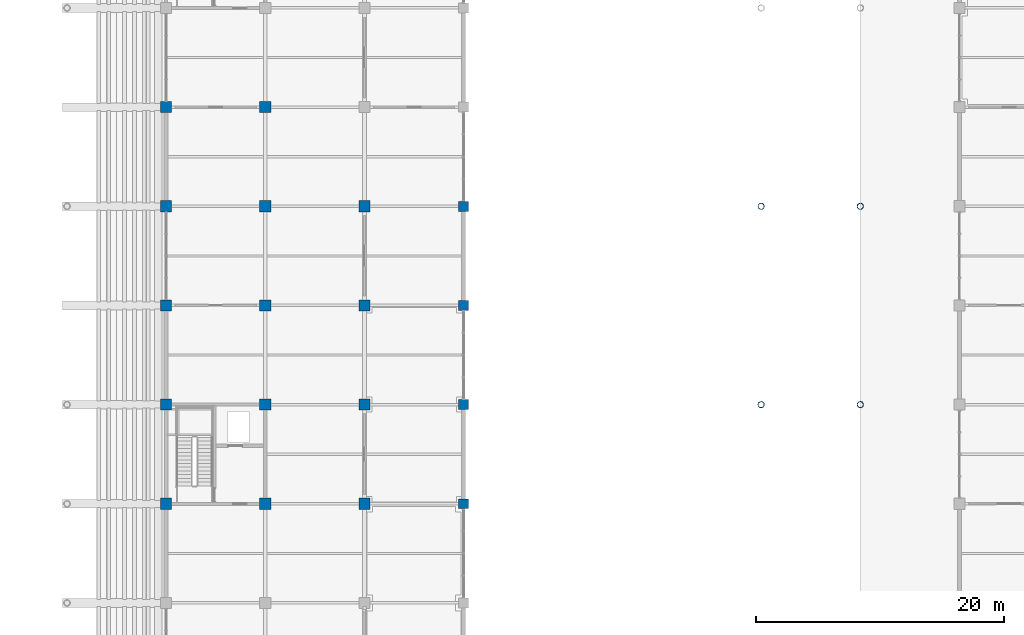
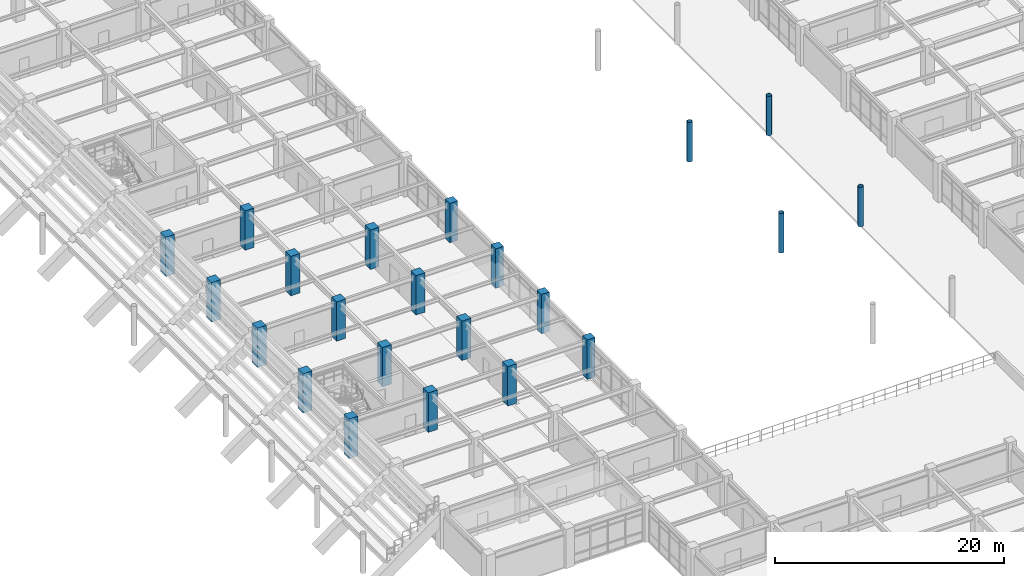
# One storey, part 9 of 118: 22 columns.
"""IFC4 building model written with IfcOpenShell, lengths in metres."""

from ifc_helpers import new_model, si_unit, direction, frame, origin, origin_2d, place, context, subcontext, project, spatial, rectangle, hollow_circle, extrude, material, material_profile, profile_set, type_object, element, save


model = new_model("IFC4")

# Units and contexts
model_context = context("Model", 3, precision=1e-05, world=origin(), true_north=direction((0.0, 1.0)))
body_context = subcontext(model_context, "Body", "Model", "MODEL_VIEW")
ifc_project = project(units=[si_unit("LENGTHUNIT", "METRE"), si_unit("AREAUNIT", "SQUARE_METRE"), si_unit("VOLUMEUNIT", "CUBIC_METRE"), si_unit("PLANEANGLEUNIT", "RADIAN"), si_unit("MASSUNIT", "GRAM", prefix="KILO")], contexts=[model_context])

# Site, building, storey
site_placement = place(None, origin())
site = spatial("IfcSite", under=ifc_project, at=site_placement, CompositionType="ELEMENT")
building_placement = place(site_placement, origin())
building = spatial("IfcBuilding", under=site, at=building_placement, Name="Haebicheon Civic Stadium", CompositionType="ELEMENT")
storey_placement = place(building_placement, frame((0.0, 0.0, 14.39990234375)))
storey = spatial("IfcBuildingStorey", under=building, at=storey_placement, Name="L04", CompositionType="ELEMENT", Elevation=14.39990234375)

# Columns
ifc_material_1 = material(Name="Concrete C40/50", Category="concrete")
ifc_material_profile_1 = material_profile(ifc_material_1, rectangle(XDim=0.800048828125, YDim=0.800048828125, at=origin_2d()), Name="RC-COL-800x800")
ifc_profile_set_1 = profile_set([ifc_material_profile_1], Name="Concrete C40/50")
column_type_1 = type_object("IfcColumnType", Name="COL-RC-800", PredefinedType="COLUMN", material=ifc_profile_set_1)
for number, where, z_axis, x_axis, name in (
    (1, (168.0, 64.0, 0.0), (0.0, 0.0, 1.0), (1.0, 0.0, 0.0), "L04 column 22/J"),
    (2, (168.0, 72.0, 0.0), (0.0, 0.0, 1.0), (1.0, 0.0, 0.0), "L04 column 22/K"),
    (3, (168.0, 80.0, 0.0), (0.0, 0.0, 1.0), (1.0, 0.0, 0.0), "L04 column 22/L"),
    (4, (168.0, 88.0, 0.0), (0.0, 0.0, 1.0), (1.0, 0.0, 0.0), "L04 column 22/M"),
):
    element("IfcColumn", number, at=place(storey_placement, frame(where, z_axis=z_axis, x_axis=x_axis)), inside=storey, type_object=column_type_1, material=ifc_profile_set_1, Name=name, PredefinedType="COLUMN", context=body_context, shape_type="SweptSolid", body=[
        extrude(rectangle(XDim=0.800048828125, YDim=0.800048828125, at=origin_2d()), origin(), (0.0, 0.0, 1.0), 4.2001953125),
    ])
ifc_material_2 = material(Name="Concrete C40/50", Category="concrete")
ifc_material_profile_2 = material_profile(ifc_material_2, rectangle(XDim=0.89990234375, YDim=0.89990234375, at=origin_2d()), Name="RC-COL-900x900")
ifc_profile_set_2 = profile_set([ifc_material_profile_2], Name="Concrete C40/50")
column_type_2 = type_object("IfcColumnType", Name="COL-RC-900", PredefinedType="COLUMN", material=ifc_profile_set_2)
for number, where, z_axis, x_axis, name in (
    (5, (144.0, 64.0, 0.0), (0.0, 0.0, 1.0), (1.0, 0.0, 0.0), "L04 column 19/J"),
    (6, (144.0, 72.0, 0.0), (0.0, 0.0, 1.0), (1.0, 0.0, 0.0), "L04 column 19/K"),
    (7, (144.0, 80.0, 0.0), (0.0, 0.0, 1.0), (1.0, 0.0, 0.0), "L04 column 19/L"),
    (8, (144.0, 88.0, 0.0), (0.0, 0.0, 1.0), (1.0, 0.0, 0.0), "L04 column 19/M"),
    (9, (144.0, 96.0, 0.0), (0.0, 0.0, 1.0), (1.0, 0.0, 0.0), "L04 column 19/N"),
    (10, (152.0, 64.0, 0.0), (0.0, 0.0, 1.0), (1.0, 0.0, 0.0), "L04 column 20/J"),
    (11, (152.0, 72.0, 0.0), (0.0, 0.0, 1.0), (1.0, 0.0, 0.0), "L04 column 20/K"),
    (12, (152.0, 80.0, 0.0), (0.0, 0.0, 1.0), (1.0, 0.0, 0.0), "L04 column 20/L"),
    (13, (152.0, 88.0, 0.0), (0.0, 0.0, 1.0), (1.0, 0.0, 0.0), "L04 column 20/M"),
    (14, (152.0, 96.0, 0.0), (0.0, 0.0, 1.0), (1.0, 0.0, 0.0), "L04 column 20/N"),
    (15, (160.0, 64.0, 0.0), (0.0, 0.0, 1.0), (1.0, 0.0, 0.0), "L04 column 21/J"),
    (16, (160.0, 72.0, 0.0), (0.0, 0.0, 1.0), (1.0, 0.0, 0.0), "L04 column 21/K"),
    (17, (160.0, 80.0, 0.0), (0.0, 0.0, 1.0), (1.0, 0.0, 0.0), "L04 column 21/L"),
    (18, (160.0, 88.0, 0.0), (0.0, 0.0, 1.0), (1.0, 0.0, 0.0), "L04 column 21/M"),
):
    element("IfcColumn", number, at=place(storey_placement, frame(where, z_axis=z_axis, x_axis=x_axis)), inside=storey, type_object=column_type_2, material=ifc_profile_set_2, Name=name, PredefinedType="COLUMN", context=body_context, shape_type="SweptSolid", body=[
        extrude(rectangle(XDim=0.89990234375, YDim=0.89990234375, at=origin_2d()), origin(), (0.0, 0.0, 1.0), 4.2001953125),
    ])
ifc_material_3 = material(Name="White painted steel SM490", Category="steel")
ifc_material_profile_3 = material_profile(ifc_material_3, hollow_circle(Radius=0.25390625, WallThickness=0.02490234375, at=origin_2d()), Name="CHS-508.0x25.0")
ifc_profile_set_3 = profile_set([ifc_material_profile_3], Name="White painted steel SM490")
column_type_3 = type_object("IfcColumnType", Name="COL-ST-CHS508", PredefinedType="COLUMN", material=ifc_profile_set_3)
for number, where, z_axis, x_axis, name in (
    (19, (200.0, 72.0, 0.0), (0.0, 0.0, 1.0), (1.0, 0.0, 0.0), "Bowl/canopy support column 200/72 (L04)"),
    (20, (192.0, 72.0, 0.0), (0.0, 0.0, 1.0), (1.0, 0.0, 0.0), "Bowl/canopy support column 192/72 (L04)"),
    (21, (200.0, 88.0, 0.0), (0.0, 0.0, 1.0), (1.0, 0.0, 0.0), "Bowl/canopy support column 200/88 (L04)"),
    (22, (192.0, 88.0, 0.0), (0.0, 0.0, 1.0), (1.0, 0.0, 0.0), "Bowl/canopy support column 192/88 (L04)"),
):
    element("IfcColumn", number, at=place(storey_placement, frame(where, z_axis=z_axis, x_axis=x_axis)), inside=storey, type_object=column_type_3, material=ifc_profile_set_3, Name=name, PredefinedType="COLUMN", context=body_context, shape_type="SweptSolid", body=[
        extrude(hollow_circle(Radius=0.25390625, WallThickness=0.02490234375, at=origin_2d()), origin(), (0.0, 0.0, 1.0), 4.2001953125),
    ])

save(model, "model.ifc")
